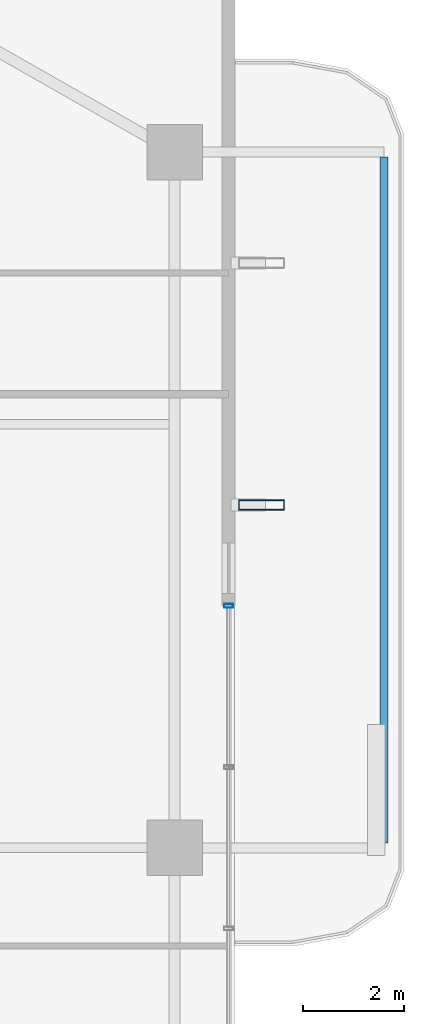
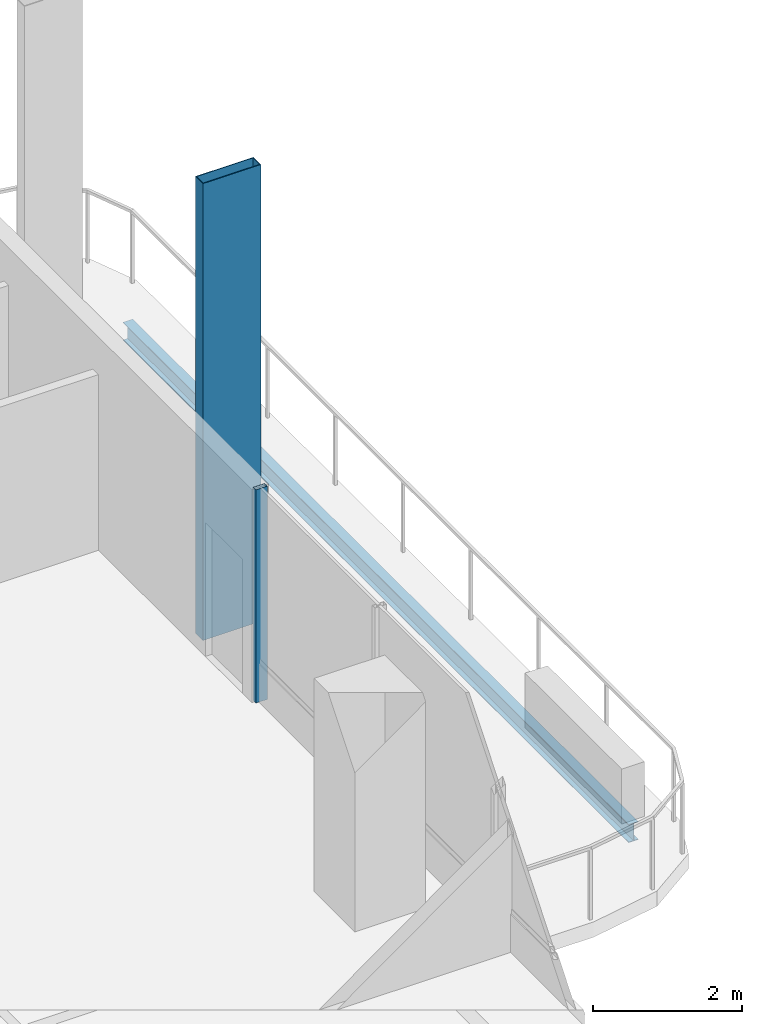
# One storey, part 13 of 24: 2 members, 1 beam, 1 element without a shape of its own.
"""IFC4 building model written with IfcOpenShell, lengths in metres."""

from ifc_helpers import new_model, si_unit, direction, frame, origin, origin_2d, place, context, subcontext, project, spatial, hollow_rectangle, i_section, extrude, material, layer, layer_set, material_profile, profile_set, type_object, element, aggregate, save


model = new_model("IFC4")

# Units and contexts
model_context = context("Model", 3, precision=1e-05, world=origin(), true_north=direction((0.0, 1.0)))
body_context = subcontext(model_context, "Body", "Model", "MODEL_VIEW")
ifc_project = project(units=[si_unit("LENGTHUNIT", "METRE"), si_unit("AREAUNIT", "SQUARE_METRE"), si_unit("VOLUMEUNIT", "CUBIC_METRE"), si_unit("PLANEANGLEUNIT", "RADIAN"), si_unit("MASSUNIT", "GRAM", prefix="KILO")], contexts=[model_context])

# Site, building, storey
site_placement = place(None, origin())
site = spatial("IfcSite", under=ifc_project, at=site_placement, CompositionType="ELEMENT")
building_placement = place(site_placement, origin())
building = spatial("IfcBuilding", under=site, at=building_placement, Name="Belovzor Exchange Tower", CompositionType="ELEMENT")
storey_placement = place(building_placement, frame((0.0, 0.0, 233.699951171875)))
storey = spatial("IfcBuildingStorey", under=building, at=storey_placement, Name="L58", CompositionType="ELEMENT", Elevation=233.699951171875)

# Beam
ifc_material_1 = material(Name="Steel S355", Category="steel")
ifc_material_profile_1 = material_profile(ifc_material_1, i_section(OverallWidth=0.14990234375, OverallDepth=0.300048828125, WebThickness=0.007080078125, FlangeThickness=0.0107421875, at=origin_2d()))
ifc_profile_set_1 = profile_set([ifc_material_profile_1], Name="Steel S355")
beam_type = type_object("IfcBeamType", Name="Planted Balcony Fascia Edge Beam IPE 300", PredefinedType="BEAM", material=ifc_profile_set_1)
beam_placement = place(storey_placement, frame((58.7529296875, 28.89990234375, -0.39990234375), z_axis=(0.0, 1.0, 0.0), x_axis=(-1.0, 0.0, 0.0)))
element("IfcBeam", 1, at=beam_placement, inside=storey, type_object=beam_type, Name="BC-300 Planted Balcony Fascia Edge Beam IPE 300", PredefinedType="BEAM", context=body_context, shape_type="SweptSolid", body=[
    extrude(i_section(OverallWidth=0.14990234375, OverallDepth=0.300048828125, WebThickness=0.007080078125, FlangeThickness=0.0107421875, at=origin_2d()), origin(), (0.0, 0.0, 1.0), 13.60009765625),
])

# Member
ifc_material_2 = material(Name="Extruded Architectural Terracotta on Steel S355 Carrier", Category="masonry")
ifc_material_profile_2 = material_profile(ifc_material_2, hollow_rectangle(XDim=0.199951171875, YDim=0.89990234375, WallThickness=0.011962890625, at=origin_2d()))
ifc_profile_set_2 = profile_set([ifc_material_profile_2], Name="Extruded Architectural Terracotta on Steel S355 Carrier")
member_type_1 = type_object("IfcMemberType", Name="Sweeping Terracotta Baguette Fin Assembly 950", PredefinedType="USERDEFINED", material=ifc_profile_set_2)
member_1_placement = place(storey_placement, frame((56.324951171875, 35.60009765625, -0.25), z_axis=(0.0, 0.0, 1.0), x_axis=(0.0, 1.0, 0.0)))
element("IfcMember", 2, at=member_1_placement, inside=storey, type_object=member_type_1, Name="FIN-TC095 Terracotta Facade Fin L58 E3", ObjectType="FIN", PredefinedType="USERDEFINED", context=body_context, shape_type="SweptSolid", body=[
    extrude(hollow_rectangle(XDim=0.199951171875, YDim=0.89990234375, WallThickness=0.011962890625, at=origin_2d()), origin(), (0.0, 0.0, 1.0), 7.5),
])

# Curtain wall, member
ifc_material_3 = material(Name="Anodised Aluminium Framing", Category="aluminium")
ifc_layer = layer(ifc_material_3, 0.179931640625)
ifc_layer_set = layer_set([ifc_layer], Name="Anodised Aluminium Framing")
curtain_wall_type = type_object("IfcCurtainWallType", Name="Recessed Loggia Low-Iron Triple-Glazed Curtain Wall", PredefinedType="NOTDEFINED", material=ifc_layer_set)
curtain_wall_placement = place(storey_placement, origin())
curtain_wall = element("IfcCurtainWall", 3, at=curtain_wall_placement, inside=storey, type_object=curtain_wall_type, Name="CW3 Recessed Loggia Low-Iron Triple-Glazed Curtain Wall L58", PredefinedType="NOTDEFINED")
ifc_material_4 = material(Name="Steel S355", Category="steel")
ifc_material_profile_3 = material_profile(ifc_material_4, hollow_rectangle(XDim=0.074951171875, YDim=0.179931640625, WallThickness=0.0048828125, at=origin_2d()))
ifc_profile_set_3 = profile_set([ifc_material_profile_3], Name="Steel S355")
member_type_2 = type_object("IfcMemberType", Name="Thermally Broken Curtain Wall Mullion 180x75", PredefinedType="MULLION", material=ifc_profile_set_3)
member_2_placement = place(storey_placement, frame((55.669921875, 33.60009765625, 0.0), z_axis=(0.0, 0.0, 1.0), x_axis=(0.0, -1.0, 0.0)))
member_2 = element("IfcMember", 4, at=member_2_placement, type_object=member_type_2, Name="CW-M180 Curtain Wall Mullion 1", PredefinedType="MULLION", context=body_context, shape_type="SweptSolid", body=[
    extrude(hollow_rectangle(XDim=0.074951171875, YDim=0.179931640625, WallThickness=0.0048828125, at=origin_2d()), origin(), (0.0, 0.0, 1.0), 3.5),
])
aggregate(curtain_wall, [member_2])

save(model, "model.ifc")
